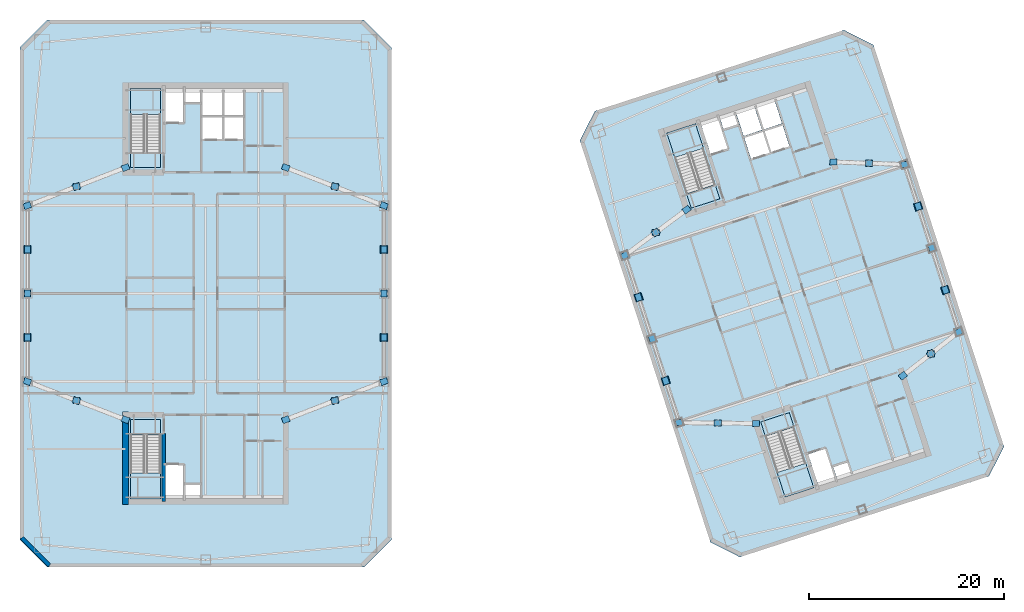
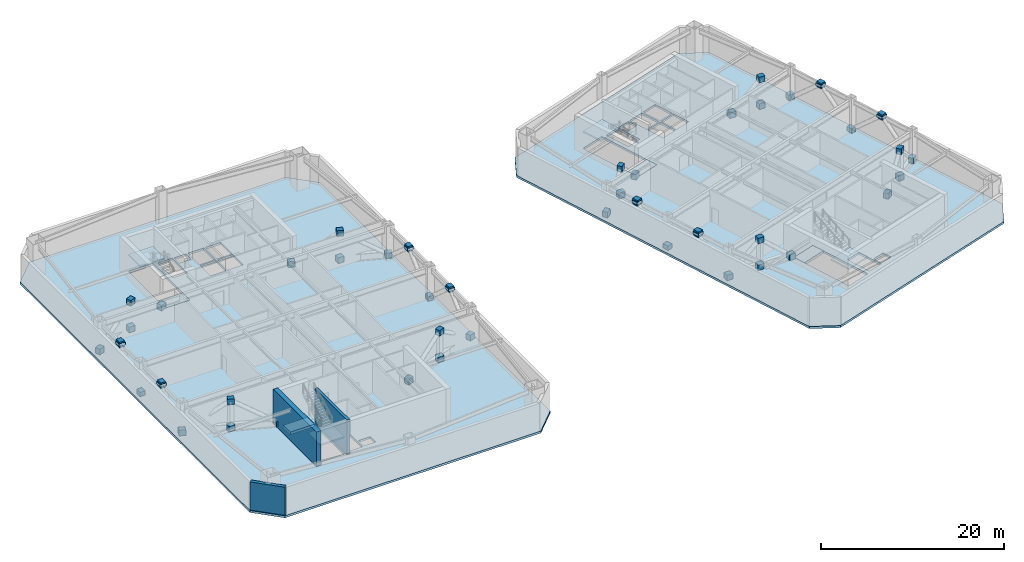
# One storey, part 6 of 14: 52 plates, 10 slabs, 3 walls, 4 elements without a shape of their own.
"""IFC4 building model written with IfcOpenShell, lengths in metres."""

from ifc_helpers import new_model, si_unit, direction, frame, frame_2d, origin, origin_2d, place, context, subcontext, project, spatial, polyline, rectangle, outline, extrude, material, layer, layer_set, type_object, element, aggregate, save


model = new_model("IFC4")

# Units and contexts
model_context = context("Model", 3, precision=1e-05, world=origin(), true_north=direction((0.0, 1.0)))
body_context = subcontext(model_context, "Body", "Model", "MODEL_VIEW")
ifc_project = project(units=[si_unit("LENGTHUNIT", "METRE"), si_unit("AREAUNIT", "SQUARE_METRE"), si_unit("VOLUMEUNIT", "CUBIC_METRE"), si_unit("PLANEANGLEUNIT", "RADIAN"), si_unit("MASSUNIT", "GRAM", prefix="KILO")], contexts=[model_context])

# Site, building, storey
site_placement = place(None, origin())
site = spatial("IfcSite", under=ifc_project, at=site_placement, CompositionType="ELEMENT")
building_placement = place(site_placement, origin())
building = spatial("IfcBuilding", under=site, at=building_placement, Name="Qiaolan Cultural Towers", CompositionType="ELEMENT")
storey_placement = place(building_placement, frame((0.0, 0.0, 138.0)))
storey = spatial("IfcBuildingStorey", under=building, at=storey_placement, Name="L36", CompositionType="ELEMENT", Elevation=138.0)

# Plates
ifc_material_1 = material(Name="Steel Q355B", Category="steel")
ifc_layer_1 = layer(ifc_material_1, 0.035888671875)
ifc_layer_set_1 = layer_set([ifc_layer_1], Name="Steel Q355B")
plate_type_1 = type_object("IfcPlateType", Name="PL-CONN-36", PredefinedType="USERDEFINED", material=ifc_layer_set_1)
for number, where, z_axis, x_axis, name in (
    (1, (21.800048828125, 21.10009765625, 0.1298828125), (0.0, 0.0, 1.0), (-0.932265558866, 0.361774691973, 0.0), "L36 Brace End Connection Gusset Plate GP-02-0692"),
    (2, (16.77490234375, 23.050048828125, 3.7099609375), (0.0, 0.0, 1.0), (-0.932265558866, 0.361774691973, 0.0), "L36 Brace End Connection Gusset Plate GP-02-0693"),
    (3, (11.75, 25.0, 0.1298828125), (0.0, 0.0, 1.0), (-0.932265558866, 0.361774691973, 0.0), "L36 Brace End Connection Gusset Plate GP-02-0694"),
    (4, (16.77490234375, 23.050048828125, 0.1298828125), (0.0, 0.0, 1.0), (1.0, 0.0, 0.0), "L36 Brace End Connection Gusset Plate GP-02-0695"),
    (5, (21.800048828125, 46.89990234375, 0.1298828125), (0.0, 0.0, 1.0), (0.932265558866, 0.361774691973, 0.0), "L36 Brace End Connection Gusset Plate GP-02-0696"),
    (6, (16.77490234375, 44.949951171875, 3.7099609375), (0.0, 0.0, 1.0), (0.932265558866, 0.361774691973, 0.0), "L36 Brace End Connection Gusset Plate GP-02-0697"),
    (7, (11.75, 43.0, 0.1298828125), (0.0, 0.0, 1.0), (0.932265558866, 0.361774691973, 0.0), "L36 Brace End Connection Gusset Plate GP-02-0698"),
    (8, (16.77490234375, 44.949951171875, 0.1298828125), (0.0, 0.0, 1.0), (1.0, 0.0, 0.0), "L36 Brace End Connection Gusset Plate GP-02-0699"),
    (9, (38.199951171875, 21.10009765625, 0.1298828125), (0.0, 0.0, 1.0), (0.932265558866, 0.361774691973, 0.0), "L36 Brace End Connection Gusset Plate GP-02-0700"),
    (10, (43.22509765625, 23.050048828125, 3.7099609375), (0.0, 0.0, 1.0), (0.932265558866, 0.361774691973, 0.0), "L36 Brace End Connection Gusset Plate GP-02-0701"),
    (11, (48.25, 25.0, 0.1298828125), (0.0, 0.0, 1.0), (0.932265558866, 0.361774691973, 0.0), "L36 Brace End Connection Gusset Plate GP-02-0702"),
    (12, (43.22509765625, 23.050048828125, 0.1298828125), (0.0, 0.0, 1.0), (1.0, 0.0, 0.0), "L36 Brace End Connection Gusset Plate GP-02-0703"),
    (13, (38.199951171875, 46.89990234375, 0.1298828125), (0.0, 0.0, 1.0), (-0.932265558866, 0.361774691973, 0.0), "L36 Brace End Connection Gusset Plate GP-02-0704"),
    (14, (43.22509765625, 44.949951171875, 3.7099609375), (0.0, 0.0, 1.0), (-0.932265558866, 0.361774691973, 0.0), "L36 Brace End Connection Gusset Plate GP-02-0705"),
    (15, (48.25, 43.0, 0.1298828125), (0.0, 0.0, 1.0), (-0.932265558866, 0.361774691973, 0.0), "L36 Brace End Connection Gusset Plate GP-02-0706"),
    (16, (43.22509765625, 44.949951171875, 0.1298828125), (0.0, 0.0, 1.0), (1.0, 0.0, 0.0), "L36 Brace End Connection Gusset Plate GP-02-0707"),
    (17, (11.75, 29.5, 3.81005859375), (0.0, 0.0, 1.0), (0.0, 1.0, 0.0), "L36 Brace End Connection Gusset Plate GP-02-0708"),
    (18, (11.75, 34.0, -0.169921875), (0.0, 0.0, 1.0), (0.0, 1.0, 0.0), "L36 Brace End Connection Gusset Plate GP-02-0709"),
    (19, (11.75, 38.5, 3.81005859375), (0.0, 0.0, 1.0), (0.0, 1.0, 0.0), "L36 Brace End Connection Gusset Plate GP-02-0710"),
    (20, (48.25, 29.5, 3.81005859375), (0.0, 0.0, 1.0), (0.0, 1.0, 0.0), "L36 Brace End Connection Gusset Plate GP-02-0711"),
    (21, (48.25, 34.0, -0.169921875), (0.0, 0.0, 1.0), (0.0, 1.0, 0.0), "L36 Brace End Connection Gusset Plate GP-02-0712"),
    (22, (48.25, 38.5, 3.81005859375), (0.0, 0.0, 1.0), (0.0, 1.0, 0.0), "L36 Brace End Connection Gusset Plate GP-02-0713"),
    (23, (86.32568359375, 20.71435546875, 0.1298828125), (0.0, 0.0, 1.0), (-0.999953887757, 0.009603247345, 0.0), "L36 Brace End Connection Gusset Plate GP-02-0714"),
    (24, (82.396728515625, 20.751953125, 3.7099609375), (0.0, 0.0, 1.0), (-0.999953887757, 0.009603247345, 0.0), "L36 Brace End Connection Gusset Plate GP-02-0715"),
    (25, (78.4677734375, 20.789794921875, 0.1298828125), (0.0, 0.0, 1.0), (-0.999953887757, 0.009603247345, 0.0), "L36 Brace End Connection Gusset Plate GP-02-0716"),
    (26, (82.396728515625, 20.751953125, 0.1298828125), (0.0, 0.0, 1.0), (1.0, 0.0, 0.0), "L36 Brace End Connection Gusset Plate GP-02-0717"),
    (27, (79.21826171875, 42.588623046875, 0.1298828125), (0.0, 0.0, 1.0), (0.803335072805, 0.595527296437, 0.0), "L36 Brace End Connection Gusset Plate GP-02-0718"),
    (28, (76.061767578125, 40.248779296875, 3.7099609375), (0.0, 0.0, 1.0), (0.803335072805, 0.595527296437, 0.0), "L36 Brace End Connection Gusset Plate GP-02-0719"),
    (29, (72.905517578125, 37.90869140625, 0.1298828125), (0.0, 0.0, 1.0), (0.803335072805, 0.595527296437, 0.0), "L36 Brace End Connection Gusset Plate GP-02-0720"),
    (30, (76.061767578125, 40.248779296875, 0.1298828125), (0.0, 0.0, 1.0), (1.0, 0.0, 0.0), "L36 Brace End Connection Gusset Plate GP-02-0721"),
    (31, (101.352294921875, 25.5966796875, 0.1298828125), (0.0, 0.0, 1.0), (0.787470638141, 0.616352167244, 0.0), "L36 Brace End Connection Gusset Plate GP-02-0722"),
    (32, (104.223388671875, 27.843994140625, 3.7099609375), (0.0, 0.0, 1.0), (0.787470638141, 0.616352167244, 0.0), "L36 Brace End Connection Gusset Plate GP-02-0723"),
    (33, (107.094482421875, 30.09130859375, 0.1298828125), (0.0, 0.0, 1.0), (0.787470638141, 0.616352167244, 0.0), "L36 Brace End Connection Gusset Plate GP-02-0724"),
    (34, (104.223388671875, 27.843994140625, 0.1298828125), (0.0, 0.0, 1.0), (1.0, 0.0, 0.0), "L36 Brace End Connection Gusset Plate GP-02-0725"),
    (35, (94.244873046875, 47.47119140625, 0.1298828125), (0.0, 0.0, 1.0), (-0.999359842327, 0.03577576755, 0.0), "L36 Brace End Connection Gusset Plate GP-02-0726"),
    (36, (97.888671875, 47.340576171875, 3.7099609375), (0.0, 0.0, 1.0), (-0.999359842327, 0.03577576755, 0.0), "L36 Brace End Connection Gusset Plate GP-02-0727"),
    (37, (101.5322265625, 47.210205078125, 0.1298828125), (0.0, 0.0, 1.0), (-0.999359842327, 0.03577576755, 0.0), "L36 Brace End Connection Gusset Plate GP-02-0728"),
    (38, (97.888671875, 47.340576171875, 0.1298828125), (0.0, 0.0, 1.0), (1.0, 0.0, 0.0), "L36 Brace End Connection Gusset Plate GP-02-0729"),
    (39, (77.0771484375, 25.069580078125, 3.81005859375), (0.0, 0.0, 1.0), (-0.309017027573, 0.951056505508, 0.0), "L36 Brace End Connection Gusset Plate GP-02-0730"),
    (40, (75.6865234375, 29.349365234375, -0.169921875), (0.0, 0.0, 1.0), (-0.309017027573, 0.951056505508, 0.0), "L36 Brace End Connection Gusset Plate GP-02-0731"),
    (41, (74.296142578125, 33.629150390625, 3.81005859375), (0.0, 0.0, 1.0), (-0.309016994375, 0.951056516295, 0.0), "L36 Brace End Connection Gusset Plate GP-02-0732"),
    (42, (105.703857421875, 34.370849609375, 3.81005859375), (0.0, 0.0, 1.0), (-0.309016994375, 0.951056516295, 0.0), "L36 Brace End Connection Gusset Plate GP-02-0733"),
    (43, (104.3134765625, 38.650634765625, -0.169921875), (0.0, 0.0, 1.0), (-0.309016994375, 0.951056516295, 0.0), "L36 Brace End Connection Gusset Plate GP-02-0734"),
    (44, (102.9228515625, 42.930419921875, 3.81005859375), (0.0, 0.0, 1.0), (-0.309017027573, 0.951056505508, 0.0), "L36 Brace End Connection Gusset Plate GP-02-0735"),
):
    element("IfcPlate", number, at=place(storey_placement, frame(where, z_axis=z_axis, x_axis=x_axis)), inside=storey, type_object=plate_type_1, Name=name, ObjectType="GUSSET_PLATE", PredefinedType="USERDEFINED", context=body_context, shape_type="SweptSolid", body=[
        extrude(rectangle(XDim=0.739990234375, YDim=0.6201171875, at=origin_2d()), origin(), (0.0, 0.0, 1.0), 0.739990234375),
    ])
ifc_material_2 = material(Name="Steel Q355B", Category="steel")
ifc_layer_2 = layer(ifc_material_2, 0.030029296875)
ifc_layer_set_2 = layer_set([ifc_layer_2], Name="Steel Q355B")
plate_type_2 = type_object("IfcPlateType", Name="PL-ENDCAP-30", PredefinedType="USERDEFINED", material=ifc_layer_set_2)
for number, where, z_axis, x_axis, name in (
    (45, (11.75, 29.5, 4.0048828125), (0.0, 0.0, 1.0), (1.0, 0.0, 0.0), "Belt Truss Apex Seal Plate CP-01"),
    (46, (11.75, 38.5, 4.0048828125), (0.0, 0.0, 1.0), (1.0, 0.0, 0.0), "Belt Truss Apex Seal Plate CP-01"),
    (47, (48.25, 29.5, 4.0048828125), (0.0, 0.0, 1.0), (1.0, 0.0, 0.0), "Belt Truss Apex Seal Plate CP-01"),
    (48, (48.25, 38.5, 4.0048828125), (0.0, 0.0, 1.0), (1.0, 0.0, 0.0), "Belt Truss Apex Seal Plate CP-01"),
    (49, (77.0771484375, 25.069580078125, 4.0048828125), (0.0, 0.0, 1.0), (0.951056516295, 0.309016994375, 0.0), "Belt Truss Apex Seal Plate CP-01"),
    (50, (74.296142578125, 33.629150390625, 4.0048828125), (0.0, 0.0, 1.0), (0.951056516295, 0.309016994375, 0.0), "Belt Truss Apex Seal Plate CP-01"),
    (51, (105.703857421875, 34.370849609375, 4.0048828125), (0.0, 0.0, 1.0), (0.951056516295, 0.309016994375, 0.0), "Belt Truss Apex Seal Plate CP-01"),
    (52, (102.9228515625, 42.930419921875, 4.0048828125), (0.0, 0.0, 1.0), (0.951056516295, 0.309016994375, 0.0), "Belt Truss Apex Seal Plate CP-01"),
):
    element("IfcPlate", number, at=place(storey_placement, frame(where, z_axis=z_axis, x_axis=x_axis)), inside=storey, type_object=plate_type_2, Name=name, ObjectType="BASE_PLATE", PredefinedType="USERDEFINED", context=body_context, shape_type="SweptSolid", body=[
        extrude(rectangle(XDim=0.800048828125, YDim=0.800048828125, at=origin_2d()), origin(), (0.0, 0.0, 1.0), 0.35009765625),
    ])

# Slabs
ifc_material_3 = material(Name="Concrete C50", Category="concrete")
ifc_layer_3 = layer(ifc_material_3, 0.280029296875)
ifc_layer_set_3 = layer_set([ifc_layer_3], Name="Concrete C50")
slab_type_1 = type_object("IfcSlabType", Name="SL-REF-280", PredefinedType="FLOOR", material=ifc_layer_set_3)
slab_1_placement = place(storey_placement, frame((0.0, 0.0, -0.280029296875)))
element("IfcSlab", 53, at=slab_1_placement, inside=storey, type_object=slab_type_1, Name="L36 West Tower Floor Slab", PredefinedType="FLOOR", context=body_context, shape_type="SweptSolid", body=[
    extrude(outline(polyline([(13.800048828125, 6.0), (46.199951171875, 6.0), (49.0, 8.800048828125), (49.0, 59.199951171875), (46.199951171875, 62.0), (13.800048828125, 62.0), (11.0, 59.199951171875), (11.0, 8.800048828125), (13.800048828125, 6.0)]), holes=[polyline([(22.300048828125, 21.10009765625), (22.300048828125, 13.0), (25.3798828125, 13.0), (25.3798828125, 21.10009765625), (22.300048828125, 21.10009765625)]), polyline([(25.3798828125, 46.89990234375), (25.3798828125, 55.0), (22.300048828125, 55.0), (22.300048828125, 46.89990234375), (25.3798828125, 46.89990234375)]), polyline([(25.89990234375, 13.199951171875), (27.75, 13.199951171875), (27.75, 16.449951171875), (25.89990234375, 16.449951171875), (25.89990234375, 13.199951171875)]), polyline([(27.93994140625, 13.25), (29.449951171875, 13.25), (29.449951171875, 14.419921875), (27.93994140625, 14.419921875), (27.93994140625, 13.25)]), polyline([(25.89990234375, 51.550048828125), (27.75, 51.550048828125), (27.75, 54.800048828125), (25.89990234375, 54.800048828125), (25.89990234375, 51.550048828125)]), polyline([(27.93994140625, 53.580078125), (29.449951171875, 53.580078125), (29.449951171875, 54.75), (27.93994140625, 54.75), (27.93994140625, 53.580078125)]), polyline([(29.679931640625, 49.820068359375), (31.679931640625, 49.820068359375), (31.679931640625, 52.080078125), (29.679931640625, 52.080078125), (29.679931640625, 49.820068359375)]), polyline([(31.8798828125, 49.820068359375), (33.820068359375, 49.820068359375), (33.820068359375, 52.080078125), (31.8798828125, 52.080078125), (31.8798828125, 49.820068359375)]), polyline([(29.679931640625, 52.27001953125), (31.659912109375, 52.27001953125), (31.659912109375, 54.75), (29.679931640625, 54.75), (29.679931640625, 52.27001953125)]), polyline([(31.8798828125, 52.27001953125), (33.820068359375, 52.27001953125), (33.820068359375, 54.75), (31.8798828125, 54.75), (31.8798828125, 52.27001953125)])]), origin(), (0.0, 0.0, 1.0), 0.280029296875),
])
slab_2_placement = place(storey_placement, frame((0.0, 0.0, -0.280029296875)))
element("IfcSlab", 54, at=slab_2_placement, inside=storey, type_object=slab_type_1, Name="L36 East Tower Floor Slab", PredefinedType="FLOOR", context=body_context, shape_type="SweptSolid", body=[
    extrude(outline(polyline([(84.67236328125, 7.033935546875), (110.16064453125, 15.3154296875), (111.701416015625, 18.339599609375), (98.351806640625, 59.42529296875), (95.32763671875, 60.966064453125), (69.83935546875, 52.6845703125), (68.298583984375, 49.660400390625), (81.648193359375, 8.57470703125), (84.67236328125, 7.033935546875)]), holes=[polyline([(86.80126953125, 20.868896484375), (89.30419921875, 13.165283203125), (92.2333984375, 14.116943359375), (89.73046875, 21.820556640625), (86.80126953125, 20.868896484375)]), polyline([(82.623046875, 43.69482421875), (80.1201171875, 51.3984375), (77.190673828125, 50.44677734375), (79.69384765625, 42.7431640625), (82.623046875, 43.69482421875)]), polyline([(92.666259765625, 14.468017578125), (94.42578125, 15.03955078125), (93.42138671875, 18.130615234375), (91.661865234375, 17.558837890625), (92.666259765625, 14.468017578125)]), polyline([(94.5908203125, 15.14599609375), (96.027099609375, 15.612548828125), (95.66552734375, 16.725341796875), (94.2294921875, 16.258544921875), (94.5908203125, 15.14599609375)]), polyline([(81.6806640625, 48.278076171875), (83.440185546875, 48.849609375), (82.435791015625, 51.940673828125), (80.67626953125, 51.368896484375), (81.6806640625, 48.278076171875)]), polyline([(82.993408203125, 50.839111328125), (84.4296875, 51.3056640625), (84.068115234375, 52.41845703125), (82.632080078125, 51.95166015625), (82.993408203125, 50.839111328125)]), polyline([(85.810302734375, 47.80078125), (87.71240234375, 48.418701171875), (87.013916015625, 50.568115234375), (85.11181640625, 49.9501953125), (85.810302734375, 47.80078125)]), polyline([(87.902587890625, 48.480712890625), (89.74755859375, 49.080078125), (89.04931640625, 51.2294921875), (87.2041015625, 50.6298828125), (87.902587890625, 48.480712890625)]), polyline([(85.05322265625, 50.130859375), (86.936279296875, 50.74267578125), (86.169921875, 53.101318359375), (84.286865234375, 52.489501953125), (85.05322265625, 50.130859375)]), polyline([(87.1455078125, 50.810791015625), (88.990478515625, 51.41015625), (88.22412109375, 53.768798828125), (86.379150390625, 53.169189453125), (87.1455078125, 50.810791015625)])]), origin(), (0.0, 0.0, 1.0), 0.280029296875),
])

# Stair, slab
ifc_material_4 = material(Name="Concrete C45", Category="concrete")
stair_type = type_object("IfcStairType", Name="STR-CORE-1500", PredefinedType="HALF_TURN_STAIR", material=ifc_material_4)
stair_1_placement = place(storey_placement, origin())
stair_1 = element("IfcStair", 55, at=stair_1_placement, inside=storey, type_object=stair_type, Name="L36 Smokeproof Exit Stair ST-W1", PredefinedType="HALF_TURN_STAIR")
ifc_material_5 = material(Name="Concrete C45", Category="concrete")
ifc_layer_4 = layer(ifc_material_5, 0.199951171875)
ifc_layer_set_4 = layer_set([ifc_layer_4], Name="Concrete C45")
slab_type_2 = type_object("IfcSlabType", Name="SL-STAIR-LAND", PredefinedType="LANDING", material=ifc_layer_set_4)
slab_3_placement = place(storey_placement, frame((0.0, 0.0, 2.10009765625)))
slab_3 = element("IfcSlab", 56, at=slab_3_placement, type_object=slab_type_2, Name="ST-W1 landing 1", PredefinedType="LANDING", context=body_context, shape_type="SweptSolid", body=[
    extrude(outline(polyline([(22.300048828125, 15.6513671875), (22.300048828125, 13.0), (25.3798828125, 13.0), (25.3798828125, 15.6513671875), (22.300048828125, 15.6513671875)])), origin(), (0.0, 0.0, 1.0), 0.199951171875),
])
aggregate(stair_1, [slab_3])

stair_2_placement = place(storey_placement, origin())
stair_2 = element("IfcStair", 57, at=stair_2_placement, inside=storey, type_object=stair_type, Name="L36 Smokeproof Exit Stair ST-W2", PredefinedType="HALF_TURN_STAIR")
slab_4_placement = place(storey_placement, frame((0.0, 0.0, 2.10009765625)))
slab_4 = element("IfcSlab", 58, at=slab_4_placement, type_object=slab_type_2, Name="ST-W2 landing 1", PredefinedType="LANDING", context=body_context, shape_type="SweptSolid", body=[
    extrude(outline(polyline([(25.3798828125, 52.3486328125), (25.3798828125, 55.0), (22.300048828125, 55.0), (22.300048828125, 52.3486328125), (25.3798828125, 52.3486328125)])), origin(), (0.0, 0.0, 1.0), 0.199951171875),
])
aggregate(stair_2, [slab_4])

stair_3_placement = place(storey_placement, origin())
stair_3 = element("IfcStair", 59, at=stair_3_placement, inside=storey, type_object=stair_type, Name="L36 Smokeproof Exit Stair ST-E1", PredefinedType="HALF_TURN_STAIR")
slab_5_placement = place(storey_placement, frame((0.0, 0.0, 2.10009765625)))
slab_5 = element("IfcSlab", 60, at=slab_5_placement, type_object=slab_type_2, Name="ST-E1 landing 1", PredefinedType="LANDING", context=body_context, shape_type="SweptSolid", body=[
    extrude(outline(polyline([(88.48486328125, 15.686767578125), (89.30419921875, 13.165283203125), (92.2333984375, 14.116943359375), (91.414306640625, 16.638671875), (88.48486328125, 15.686767578125)])), origin(), (0.0, 0.0, 1.0), 0.199951171875),
])
aggregate(stair_3, [slab_5])

stair_4_placement = place(storey_placement, origin())
stair_4 = element("IfcStair", 61, at=stair_4_placement, inside=storey, type_object=stair_type, Name="L36 Smokeproof Exit Stair ST-E2", PredefinedType="HALF_TURN_STAIR")
slab_6_placement = place(storey_placement, frame((0.0, 0.0, 2.10009765625)))
slab_6 = element("IfcSlab", 62, at=slab_6_placement, type_object=slab_type_2, Name="ST-E2 landing 1", PredefinedType="LANDING", context=body_context, shape_type="SweptSolid", body=[
    extrude(outline(polyline([(80.939208984375, 48.876953125), (80.1201171875, 51.3984375), (77.190673828125, 50.44677734375), (78.010009765625, 47.925048828125), (80.939208984375, 48.876953125)])), origin(), (0.0, 0.0, 1.0), 0.199951171875),
])
aggregate(stair_4, [slab_6])

# Slabs
ifc_material_6 = material(Name="Concrete C40", Category="concrete")
ifc_layer_5 = layer(ifc_material_6, 0.360107421875)
ifc_layer_set_5 = layer_set([ifc_layer_5], Name="Concrete C40")
slab_type_3 = type_object("IfcSlabType", Name="SL-STFLR-360", PredefinedType="LANDING", material=ifc_layer_set_5)
slab_7_placement = place(storey_placement, frame((0.0, 0.0, -0.360107421875)))
element("IfcSlab", 63, at=slab_7_placement, inside=storey, type_object=slab_type_3, Name="L36 ST-W1 Stair Floor Landing Slab", PredefinedType="LANDING", context=body_context, shape_type="SweptSolid", body=[
    extrude(outline(polyline([(22.302001953125, 21.097900390625), (22.302001953125, 19.548583984375), (25.3779296875, 19.548583984375), (25.3779296875, 21.097900390625), (22.302001953125, 21.097900390625)])), origin(), (0.0, 0.0, 1.0), 0.360107421875),
])
slab_8_placement = place(storey_placement, frame((0.0, 0.0, -0.360107421875)))
element("IfcSlab", 64, at=slab_8_placement, inside=storey, type_object=slab_type_3, Name="L36 ST-W2 Stair Floor Landing Slab", PredefinedType="LANDING", context=body_context, shape_type="SweptSolid", body=[
    extrude(outline(polyline([(25.3779296875, 46.902099609375), (25.3779296875, 48.451416015625), (22.302001953125, 48.451416015625), (22.302001953125, 46.902099609375), (25.3779296875, 46.902099609375)])), origin(), (0.0, 0.0, 1.0), 0.360107421875),
])
slab_9_placement = place(storey_placement, frame((0.0, 0.0, -0.360107421875)))
element("IfcSlab", 65, at=slab_9_placement, inside=storey, type_object=slab_type_3, Name="L36 ST-E1 Stair Floor Landing Slab", PredefinedType="LANDING", context=body_context, shape_type="SweptSolid", body=[
    extrude(outline(polyline([(86.8037109375, 20.867431640625), (87.282470703125, 19.39404296875), (90.2080078125, 20.3447265625), (89.729248046875, 21.818115234375), (86.8037109375, 20.867431640625)])), origin(), (0.0, 0.0, 1.0), 0.360107421875),
])
slab_10_placement = place(storey_placement, frame((0.0, 0.0, -0.360107421875)))
element("IfcSlab", 66, at=slab_10_placement, inside=storey, type_object=slab_type_3, Name="L36 ST-E2 Stair Floor Landing Slab", PredefinedType="LANDING", context=body_context, shape_type="SweptSolid", body=[
    extrude(outline(polyline([(82.62060546875, 43.6962890625), (82.141845703125, 45.169677734375), (79.21630859375, 44.21923828125), (79.695068359375, 42.74560546875), (82.62060546875, 43.6962890625)])), origin(), (0.0, 0.0, 1.0), 0.360107421875),
])

# Walls
ifc_material_7 = material(Name="Concrete C50", Category="concrete")
ifc_layer_6 = layer(ifc_material_7, 0.35009765625)
ifc_layer_set_6 = layer_set([ifc_layer_6], Name="Concrete C50")
wall_type_1 = type_object("IfcWallType", Name="WL-CORE-350", PredefinedType="SHEAR", material=ifc_layer_set_6)
wall_1_placement = place(storey_placement, frame((25.719970703125, 19.699951171875, 0.0), z_axis=(0.0, 0.0, 1.0), x_axis=(0.0, -1.0, 0.0)))
element("IfcWall", 67, at=wall_1_placement, inside=storey, type_object=wall_type_1, Name="L36 T1-CS Stair Core Dividing Web", PredefinedType="SHEAR", context=body_context, shape_type="SweptSolid", body=[
    extrude(rectangle(XDim=6.97998046875, YDim=0.35009765625, at=frame_2d((3.489990234375, 0.0))), origin(), (0.0, 0.0, 1.0), 4.60009765625),
])
ifc_material_8 = material(Name="Concrete C55", Category="concrete")
ifc_layer_7 = layer(ifc_material_8, 0.60009765625)
ifc_layer_set_7 = layer_set([ifc_layer_7], Name="Concrete C55")
wall_type_2 = type_object("IfcWallType", Name="WL-CORE-600", PredefinedType="SHEAR", material=ifc_layer_set_7)
wall_2_placement = place(storey_placement, frame((21.800048828125, 21.89990234375, 0.0), z_axis=(0.0, 0.0, 1.0), x_axis=(0.0, -1.0, 0.0)))
element("IfcWall", 68, at=wall_2_placement, inside=storey, type_object=wall_type_2, Name="L36 T1-CS West Core Shear Wall", PredefinedType="SHEAR", context=body_context, shape_type="SweptSolid", body=[
    extrude(rectangle(XDim=9.47998046875, YDim=0.60009765625, at=frame_2d((4.739990234375, 0.0))), origin(), (0.0, 0.0, 1.0), 4.60009765625),
])
ifc_material_9 = material(Name="Precast Concrete C50 Honed Stone Pier", Category="masonry")
ifc_layer_8 = layer(ifc_material_9, 0.39990234375)
ifc_layer_set_8 = layer_set([ifc_layer_8], Name="Precast Concrete C50 Honed Stone Pier")
wall_type_3 = type_object("IfcWallType", Name="WL-EXT-PIER-400", PredefinedType="SOLIDWALL", material=ifc_layer_set_8)
wall_3_placement = place(storey_placement, frame((14.0, 6.199951171875, 0.0), z_axis=(0.0, 0.0, 1.0), x_axis=(-0.707106781187, 0.707106781187, 0.0)))
element("IfcWall", 69, at=wall_3_placement, inside=storey, type_object=wall_type_3, Name="L36 West Tower Precast Pier Facade Wall F8", PredefinedType="SOLIDWALL", context=body_context, shape_type="SweptSolid", body=[
    extrude(rectangle(XDim=3.9599609375, YDim=0.39990234375, at=frame_2d((1.97998046875, 0.0))), origin(), (0.0, 0.0, 1.0), 3.760009765625),
])

save(model, "model.ifc")
